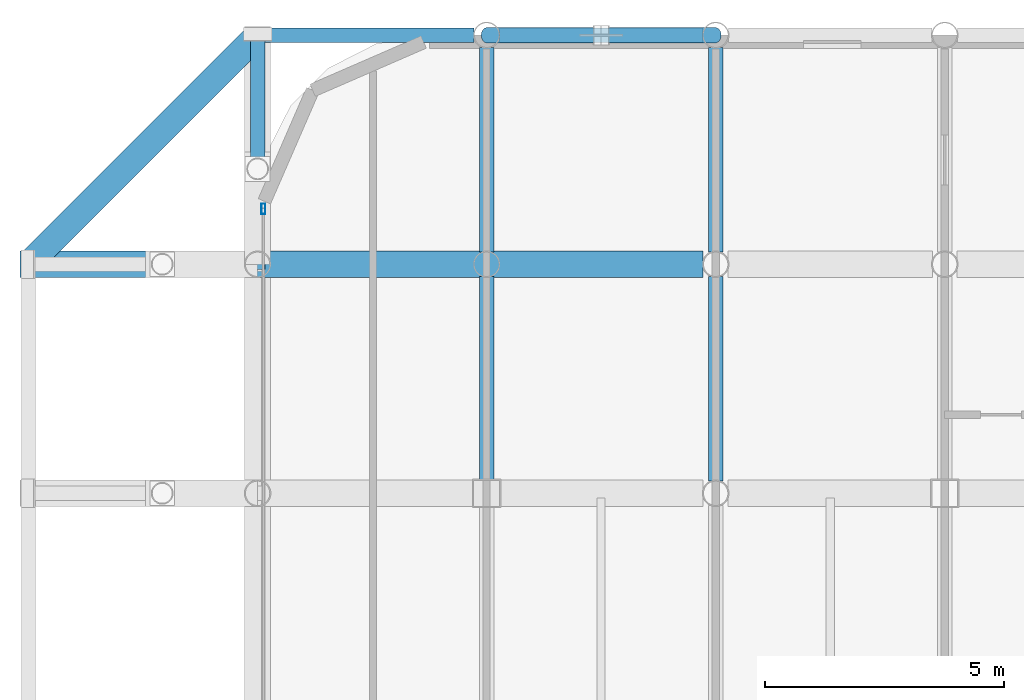
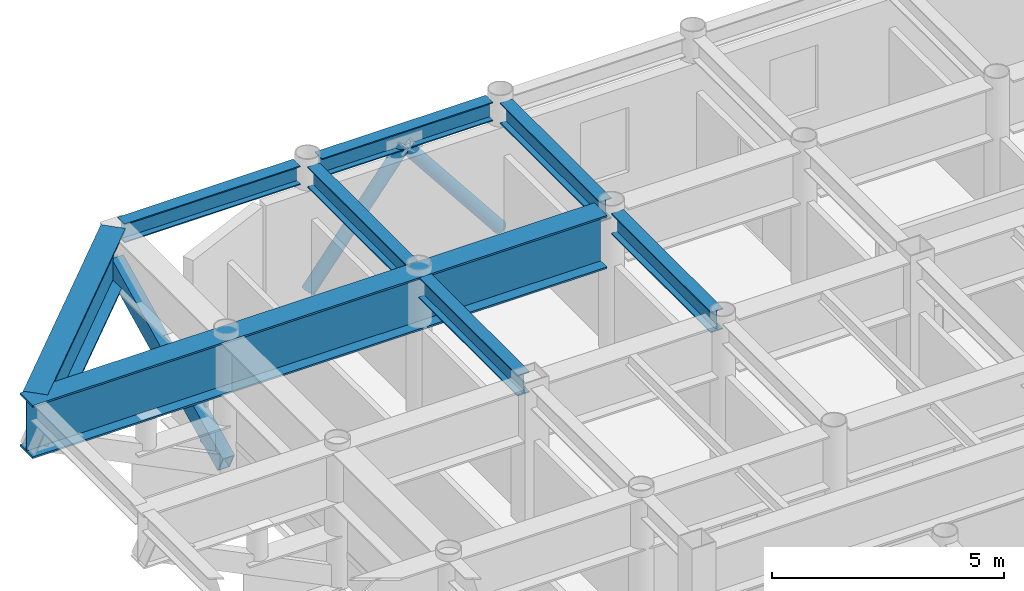
# One storey, part 12 of 27: 8 beams, 4 members, 1 element without a shape of its own.
"""IFC4 building model written with IfcOpenShell, lengths in metres."""

from ifc_helpers import new_model, si_unit, direction, frame, origin, origin_2d, place, context, subcontext, project, spatial, hollow_rectangle, hollow_circle, i_section, extrude, material, layer, layer_set, material_profile, profile_set, type_object, element, aggregate, save


model = new_model("IFC4")

# Units and contexts
model_context = context("Model", 3, precision=1e-05, world=origin(), true_north=direction((0.0, 1.0)))
body_context = subcontext(model_context, "Body", "Model", "MODEL_VIEW")
ifc_project = project(units=[si_unit("LENGTHUNIT", "METRE"), si_unit("AREAUNIT", "SQUARE_METRE"), si_unit("VOLUMEUNIT", "CUBIC_METRE"), si_unit("PLANEANGLEUNIT", "RADIAN"), si_unit("MASSUNIT", "GRAM", prefix="KILO")], contexts=[model_context])

# Site, building, storey
site_placement = place(None, origin())
site = spatial("IfcSite", under=ifc_project, at=site_placement, CompositionType="ELEMENT")
building_placement = place(site_placement, origin())
building = spatial("IfcBuilding", under=site, at=building_placement, Name="Kallvorn Hotel Tower", CompositionType="ELEMENT")
storey_placement = place(building_placement, frame((0.0, 0.0, 245.39990234375)))
storey = spatial("IfcBuildingStorey", under=building, at=storey_placement, Name="L61", CompositionType="ELEMENT", Elevation=245.39990234375)

# Beams
ifc_material_1 = material(Name="Structural steel S355JR", Category="steel")
ifc_material_profile_1 = material_profile(ifc_material_1, i_section(OverallWidth=0.300048828125, OverallDepth=0.5, WebThickness=0.014404296875, FlangeThickness=0.028076171875, at=origin_2d()), Name="HE 500 B")
ifc_profile_set_1 = profile_set([ifc_material_profile_1], Name="Structural steel S355JR")
beam_type_1 = type_object("IfcBeamType", Name="BM_HE500B", PredefinedType="SPANDREL", material=ifc_profile_set_1)
beam_1_placement = place(storey_placement, frame((-28.64990234375, 24.0, 3.420166015625), z_axis=(1.0, 0.0, 0.0), x_axis=(0.0, 1.0, 0.0)))
element("IfcBeam", 1, at=beam_1_placement, inside=storey, type_object=beam_type_1, Name="L62 Perimeter Spandrel 172", PredefinedType="SPANDREL", context=body_context, shape_type="SweptSolid", body=[
    extrude(i_section(OverallWidth=0.300048828125, OverallDepth=0.5, WebThickness=0.014404296875, FlangeThickness=0.028076171875, at=origin_2d()), origin(), (0.0, 0.0, 1.0), 4.38037109375),
])
beam_2_placement = place(storey_placement, frame((-23.73046875, 24.0, 3.420166015625), z_axis=(1.0, 0.0, 0.0), x_axis=(0.0, 1.0, 0.0)))
element("IfcBeam", 2, at=beam_2_placement, inside=storey, type_object=beam_type_1, Name="L62 Perimeter Spandrel 173", PredefinedType="SPANDREL", context=body_context, shape_type="SweptSolid", body=[
    extrude(i_section(OverallWidth=0.300048828125, OverallDepth=0.5, WebThickness=0.014404296875, FlangeThickness=0.028076171875, at=origin_2d()), origin(), (0.0, 0.0, 1.0), 4.260986328125),
])
ifc_material_2 = material(Name="Structural steel S355JR", Category="steel")
ifc_material_profile_2 = material_profile(ifc_material_2, i_section(OverallWidth=0.300048828125, OverallDepth=0.550048828125, WebThickness=0.014892578125, FlangeThickness=0.029052734375, at=origin_2d()), Name="HE 550 B")
ifc_profile_set_2 = profile_set([ifc_material_profile_2], Name="Structural steel S355JR")
beam_type_2 = type_object("IfcBeamType", Name="BM_HE550B", PredefinedType="SPANDREL", material=ifc_profile_set_2)
beam_3_placement = place(storey_placement, frame((-24.0, 14.675048828125, 3.39501953125), z_axis=(0.0, 1.0, 0.0), x_axis=(-1.0, 0.0, 0.0)))
element("IfcBeam", 3, at=beam_3_placement, inside=storey, type_object=beam_type_2, Name="L62 Primary Y-Girder 95", PredefinedType="SPANDREL", context=body_context, shape_type="SweptSolid", body=[
    extrude(i_section(OverallWidth=0.300048828125, OverallDepth=0.550048828125, WebThickness=0.014892578125, FlangeThickness=0.029052734375, at=origin_2d()), origin(), (0.0, 0.0, 1.0), 4.2705078125),
])
for number, where, z_axis, x_axis, name in (
    (4, (-24.0, 19.45458984375, 3.39501953125), (0.0, 1.0, 0.0), (-1.0, 0.0, 0.0), "L62 Primary Y-Girder 96"),
    (5, (-19.199951171875, 14.654541015625, 3.39501953125), (0.0, 1.0, 0.0), (-1.0, 0.0, 0.0), "L62 Primary Y-Girder 104"),
    (6, (-19.199951171875, 19.45458984375, 3.39501953125), (0.0, 1.0, 0.0), (-1.0, 0.0, 0.0), "L62 Primary Y-Girder 105"),
):
    element("IfcBeam", number, at=place(storey_placement, frame(where, z_axis=z_axis, x_axis=x_axis)), inside=storey, type_object=beam_type_2, Name=name, PredefinedType="SPANDREL", context=body_context, shape_type="SweptSolid", body=[
        extrude(i_section(OverallWidth=0.300048828125, OverallDepth=0.550048828125, WebThickness=0.014892578125, FlangeThickness=0.029052734375, at=origin_2d()), origin(), (0.0, 0.0, 1.0), 4.291015625),
    ])
ifc_material_3 = material(Name="Structural steel S355JR", Category="steel")
ifc_material_profile_3 = material_profile(ifc_material_3, i_section(OverallWidth=0.550048828125, OverallDepth=1.39990234375, WebThickness=0.02490234375, FlangeThickness=0.044921875, at=origin_2d()), Name="PG 1400x550x25x45")
ifc_profile_set_3 = profile_set([ifc_material_profile_3], Name="Structural steel S355JR")
beam_type_3 = type_object("IfcBeamType", Name="BM_PG_1400", PredefinedType="BEAM", material=ifc_profile_set_3)
beam_4_placement = place(storey_placement, frame((-19.469482421875, 19.199951171875, 2.97021484375), z_axis=(-1.0, 0.0, 0.0), x_axis=(0.0, -1.0, 0.0)))
element("IfcBeam", 7, at=beam_4_placement, inside=storey, type_object=beam_type_3, Name="L62 Continuous Cantilever Transfer Girder 08", PredefinedType="BEAM", context=body_context, shape_type="SweptSolid", body=[
    extrude(i_section(OverallWidth=0.550048828125, OverallDepth=1.39990234375, WebThickness=0.02490234375, FlangeThickness=0.044921875, at=origin_2d()), origin(), (0.0, 0.0, 1.0), 14.310546875),
])
beam_5_placement = place(storey_placement, frame((-33.493896484375, 19.30615234375, 2.97021484375), z_axis=(0.707125595474, 0.707087966398, 0.0), x_axis=(-0.707087966398, 0.707125595474, 0.0)))
element("IfcBeam", 8, at=beam_5_placement, inside=storey, type_object=beam_type_3, Name="L62 Rounded Corner Tie Beam 199", PredefinedType="BEAM", context=body_context, shape_type="SweptSolid", body=[
    extrude(i_section(OverallWidth=0.550048828125, OverallDepth=1.39990234375, WebThickness=0.02490234375, FlangeThickness=0.044921875, at=origin_2d()), origin(), (0.0, 0.0, 1.0), 6.488037109375),
])

# Curtain wall, member
ifc_material_4 = material(Name="Thermally broken black-anodised aluminium AA 6063-T6", Category="aluminium")
ifc_layer = layer(ifc_material_4, 0.22998046875)
ifc_layer_set = layer_set([ifc_layer], Name="CW_SYS_5_HOTEL_HIGH")
curtain_wall_type = type_object("IfcCurtainWallType", Name="CW_SYS_5_HOTEL_HIGH", PredefinedType="USERDEFINED", material=ifc_layer_set)
curtain_wall_placement = place(storey_placement, origin())
curtain_wall = element("IfcCurtainWall", 9, at=curtain_wall_placement, inside=storey, type_object=curtain_wall_type, Name="L61 Dark-Glass Curtain Wall CW-L61-WN", ObjectType="UNITISED CURTAIN WALL", PredefinedType="USERDEFINED")
ifc_material_5 = material(Name="Thermally broken black-anodised aluminium AA 6063-T6", Category="aluminium")
ifc_material_profile_4 = material_profile(ifc_material_5, hollow_rectangle(XDim=0.080078125, YDim=0.219970703125, WallThickness=0.0048828125, at=origin_2d()), Name="MUL 220x80")
ifc_profile_set_4 = profile_set([ifc_material_profile_4], Name="Thermally broken black-anodised aluminium AA 6063-T6")
member_type_1 = type_object("IfcMemberType", Name="CW_MULLION_220x80", PredefinedType="MULLION", material=ifc_profile_set_4)
member_1_placement = place(storey_placement, frame((-28.679931640625, 20.360107421875, 0.02001953125), z_axis=(0.0, 0.0, 1.0), x_axis=(1.0, 0.0, 0.0)))
member_1 = element("IfcMember", 10, at=member_1_placement, type_object=member_type_1, Name="CW-L61-WN Mullion 01", PredefinedType="MULLION", context=body_context, shape_type="SweptSolid", body=[
    extrude(hollow_rectangle(XDim=0.080078125, YDim=0.219970703125, WallThickness=0.0048828125, at=origin_2d()), origin(), (0.0, 0.0, 1.0), 2.22998046875),
])
aggregate(curtain_wall, [member_1])

# Members
ifc_material_6 = material(Name="Structural steel S355J2H", Category="steel")
ifc_material_profile_5 = material_profile(ifc_material_6, hollow_circle(Radius=0.161865234375, WallThickness=0.012451171875, at=origin_2d()), Name="CHS 323.9x12.5")
ifc_profile_set_5 = profile_set([ifc_material_profile_5], Name="Structural steel S355J2H")
member_type_2 = type_object("IfcMemberType", Name="MBR_EXO_CHS323", PredefinedType="BRACE", material=ifc_profile_set_5)
for number, where, z_axis, x_axis, name in (
    (11, (-23.987548828125, 24.0, 0.19580078125), (0.620928510901, 0.0, 0.783867198159), (0.0, 1.0, 0.0), "L61 Exoskeleton K-Brace N1A"),
    (12, (-19.21240234375, 24.0, 0.19580078125), (-0.620928510901, 0.0, 0.783867198159), (0.0, -1.0, 0.0), "L61 Exoskeleton K-Brace N1B"),
):
    element("IfcMember", number, at=place(storey_placement, frame(where, z_axis=z_axis, x_axis=x_axis)), inside=storey, type_object=member_type_2, Name=name, PredefinedType="BRACE", context=body_context, shape_type="SweptSolid", body=[
        extrude(hollow_circle(Radius=0.161865234375, WallThickness=0.012451171875, at=origin_2d()), origin(), (0.0, 0.0, 1.0), 3.8251953125),
    ])
ifc_material_7 = material(Name="Structural steel S355J2H", Category="steel")
ifc_material_profile_6 = material_profile(ifc_material_7, hollow_rectangle(XDim=0.300048828125, YDim=0.5, WallThickness=0.02490234375, at=origin_2d()), Name="RHS 500x300x25")
ifc_profile_set_6 = profile_set([ifc_material_profile_6], Name="Structural steel S355J2H")
member_type_3 = type_object("IfcMemberType", Name="MBR_OUTRIGGER_RHS500", PredefinedType="BRACE", material=ifc_profile_set_6)
member_2_placement = place(storey_placement, frame((-28.800048828125, 19.199951171875, 0.25), z_axis=(0.0, 0.896650696442, 0.442738668484), x_axis=(-1.0, 0.0, 0.0)))
element("IfcMember", 13, at=member_2_placement, inside=storey, type_object=member_type_3, Name="L62 Exoskeleton Cantilever Raking Strut 09", PredefinedType="BRACE", context=body_context, shape_type="SweptSolid", body=[
    extrude(hollow_rectangle(XDim=0.300048828125, YDim=0.5, WallThickness=0.02490234375, at=origin_2d()), origin(), (0.0, 0.0, 1.0), 5.353271484375),
])

save(model, "model.ifc")
